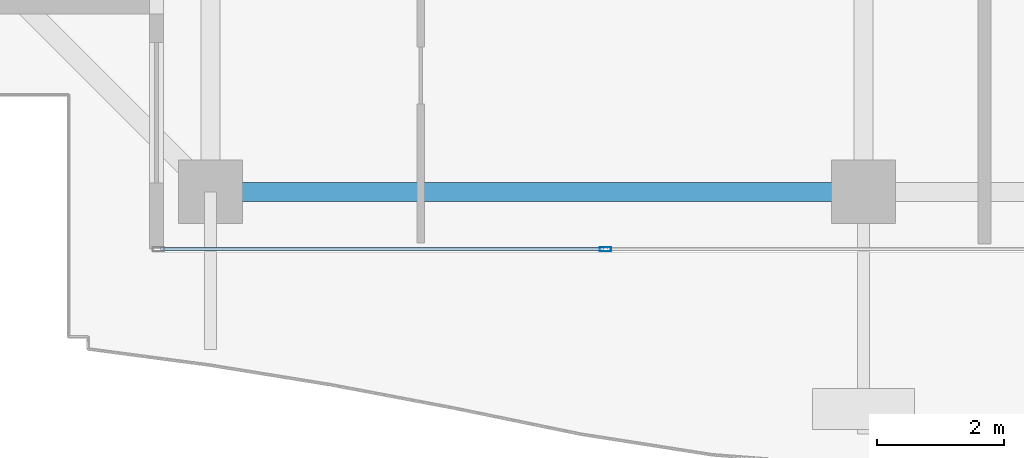
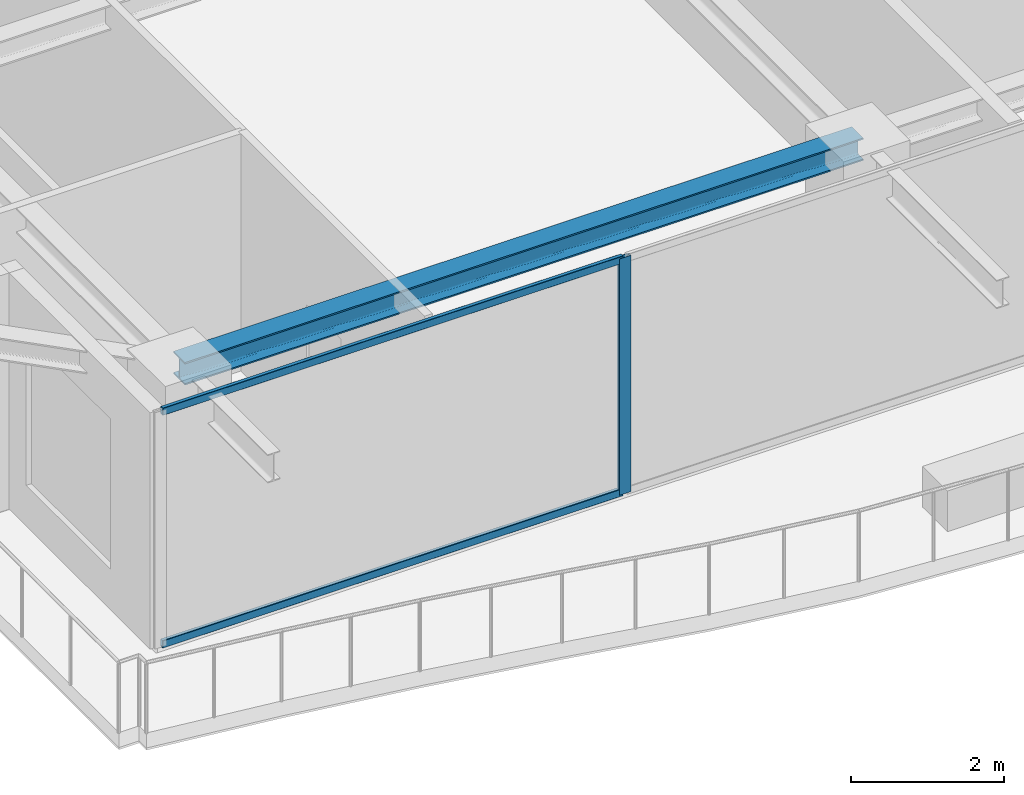
# One storey, part 3 of 42: 3 members, 1 beam, 1 element without a shape of its own.
"""IFC4 building model written with IfcOpenShell, lengths in metres."""

from ifc_helpers import new_model, si_unit, direction, frame, origin, origin_2d, place, context, subcontext, project, spatial, hollow_rectangle, i_section, extrude, source, transform, mapped, material, layer, layer_set, material_profile, profile_set, type_object, element, aggregate, save


model = new_model("IFC4")

# Units and contexts
model_context = context("Model", 3, precision=1e-05, world=origin(), true_north=direction((0.0, 1.0)))
body_context = subcontext(model_context, "Body", "Model", "MODEL_VIEW")
ifc_project = project(units=[si_unit("LENGTHUNIT", "METRE"), si_unit("AREAUNIT", "SQUARE_METRE"), si_unit("VOLUMEUNIT", "CUBIC_METRE"), si_unit("PLANEANGLEUNIT", "RADIAN"), si_unit("MASSUNIT", "GRAM", prefix="KILO")], contexts=[model_context])

# Site, building, storey
site_placement = place(None, origin())
site = spatial("IfcSite", under=ifc_project, at=site_placement, CompositionType="ELEMENT")
building_placement = place(site_placement, origin())
building = spatial("IfcBuilding", under=site, at=building_placement, Name="Serunith Strait Residences", CompositionType="ELEMENT")
storey_placement = place(building_placement, frame((0.0, 0.0, 297.5)))
storey = spatial("IfcBuildingStorey", under=building, at=storey_placement, Name="L74", CompositionType="ELEMENT", Elevation=297.5)

# Beam
ifc_material_1 = material(Name="Steel S355J2", Category="steel")
ifc_material_profile_1 = material_profile(ifc_material_1, i_section(OverallWidth=0.300048828125, OverallDepth=0.360107421875, WebThickness=0.012451171875, FlangeThickness=0.0224609375, FilletRadius=0.027099609375, at=origin_2d()), Name="HEB 360")
ifc_profile_set_1 = profile_set([ifc_material_profile_1], Name="Steel S355J2")
beam_type = type_object("IfcBeamType", Name="BM-HEB360", PredefinedType="BEAM", material=ifc_profile_set_1)
shared_shape_1 = source(origin(), body_context, "Body", "SweptSolid", [
    extrude(i_section(OverallWidth=0.300048828125, OverallDepth=0.360107421875, WebThickness=0.012451171875, FlangeThickness=0.0224609375, FilletRadius=0.027099609375, at=origin_2d()), origin(), (0.0, 0.0, 1.0), 10.25),
])
beam_placement = place(storey_placement, frame((17.64990234375, 3.300048828125, 3.60693359375), z_axis=(1.0, 0.0, 0.0), x_axis=(0.0, 1.0, 0.0)))
element("IfcBeam", 1, at=beam_placement, inside=storey, type_object=beam_type, Name="L74 Perimeter Ring Beam 01", PredefinedType="BEAM", context=body_context, shape_type="MappedRepresentation", body=[
    mapped(shared_shape_1, transform((0.0, 0.0, 0.0), scale=1.0)),
])

# Curtain wall, members
ifc_material_2 = material(Name="Brushed Stainless-Silver Aluminium", Category="aluminium")
ifc_layer = layer(ifc_material_2, 0.199951171875, Name="Brushed Stainless-Silver Aluminium")
ifc_layer_set = layer_set([ifc_layer], Name="Brushed Stainless-Silver Aluminium")
curtain_wall_type = type_object("IfcCurtainWallType", Name="CW-SYS5", PredefinedType="NOTDEFINED", material=ifc_layer_set)
curtain_wall_placement = place(storey_placement, origin())
curtain_wall = element("IfcCurtainWall", 2, at=curtain_wall_placement, inside=storey, type_object=curtain_wall_type, Name="L74 S Unitised Fritted Curtain Wall", PredefinedType="NOTDEFINED")
ifc_material_profile_2 = material_profile(ifc_material_2, hollow_rectangle(XDim=0.06005859375, YDim=0.1201171875, WallThickness=0.00341796875, InnerFilletRadius=0.00537109375, OuterFilletRadius=0.0087890625, at=origin_2d()), Name="ALU 120x60x3.5")
ifc_profile_set_2 = profile_set([ifc_material_profile_2], Name="Brushed Stainless-Silver Aluminium")
member_type_1 = type_object("IfcMemberType", Name="CW-SYS5-TRAN", PredefinedType="USERDEFINED", material=ifc_profile_set_2)
shared_shape_2 = source(origin(), body_context, "Body", "SweptSolid", [
    extrude(hollow_rectangle(XDim=0.06005859375, YDim=0.1201171875, WallThickness=0.00341796875, InnerFilletRadius=0.00537109375, OuterFilletRadius=0.0087890625, at=origin_2d()), origin(), (0.0, 0.0, 1.0), 6.952392578125),
])
member_1_placement = place(storey_placement, frame((16.864990234375, 2.39990234375, 0.030029296875), z_axis=(1.0, 0.0, 0.0), x_axis=(0.0, 1.0, 0.0)))
member_1 = element("IfcMember", 3, at=member_1_placement, type_object=member_type_1, Name="CW-5 transom 1.1", ObjectType="TRANSOM", PredefinedType="USERDEFINED", context=body_context, shape_type="MappedRepresentation", body=[
    mapped(shared_shape_2, transform((0.0, 0.0, 0.0), scale=1.0)),
])
member_2_placement = place(storey_placement, frame((16.864990234375, 2.39990234375, 3.7451171875), z_axis=(1.0, 0.0, 0.0), x_axis=(0.0, 1.0, 0.0)))
member_2 = element("IfcMember", 4, at=member_2_placement, type_object=member_type_1, Name="CW-5 transom 1.2", ObjectType="TRANSOM", PredefinedType="USERDEFINED", context=body_context, shape_type="MappedRepresentation", body=[
    mapped(shared_shape_2, transform((0.0, 0.0, 0.0), scale=1.0)),
])
ifc_material_profile_3 = material_profile(ifc_material_2, hollow_rectangle(XDim=0.06494140625, YDim=0.179931640625, WallThickness=0.00341796875, InnerFilletRadius=0.00537109375, OuterFilletRadius=0.0087890625, at=origin_2d()), Name="ALU 180x65x3.5")
ifc_profile_set_3 = profile_set([ifc_material_profile_3], Name="Brushed Stainless-Silver Aluminium")
member_type_2 = type_object("IfcMemberType", Name="CW-SYS5-MULL", PredefinedType="MULLION", material=ifc_profile_set_3)
shared_shape_3 = source(origin(), body_context, "Body", "SweptSolid", [
    extrude(hollow_rectangle(XDim=0.06494140625, YDim=0.179931640625, WallThickness=0.00341796875, InnerFilletRadius=0.00537109375, OuterFilletRadius=0.0087890625, at=origin_2d()), origin(), (0.0, 0.0, 1.0), 3.77490234375),
])
member_3_placement = place(storey_placement, frame((23.85009765625, 2.39990234375, 0.0), z_axis=(0.0, 0.0, 1.0), x_axis=(0.0, 1.0, 0.0)))
member_3 = element("IfcMember", 5, at=member_3_placement, type_object=member_type_2, Name="CW-5 mullion 2", PredefinedType="MULLION", context=body_context, shape_type="MappedRepresentation", body=[
    mapped(shared_shape_3, transform((0.0, 0.0, 0.0), scale=1.0)),
])
aggregate(curtain_wall, [member_3, member_1, member_2])

save(model, "model.ifc")
